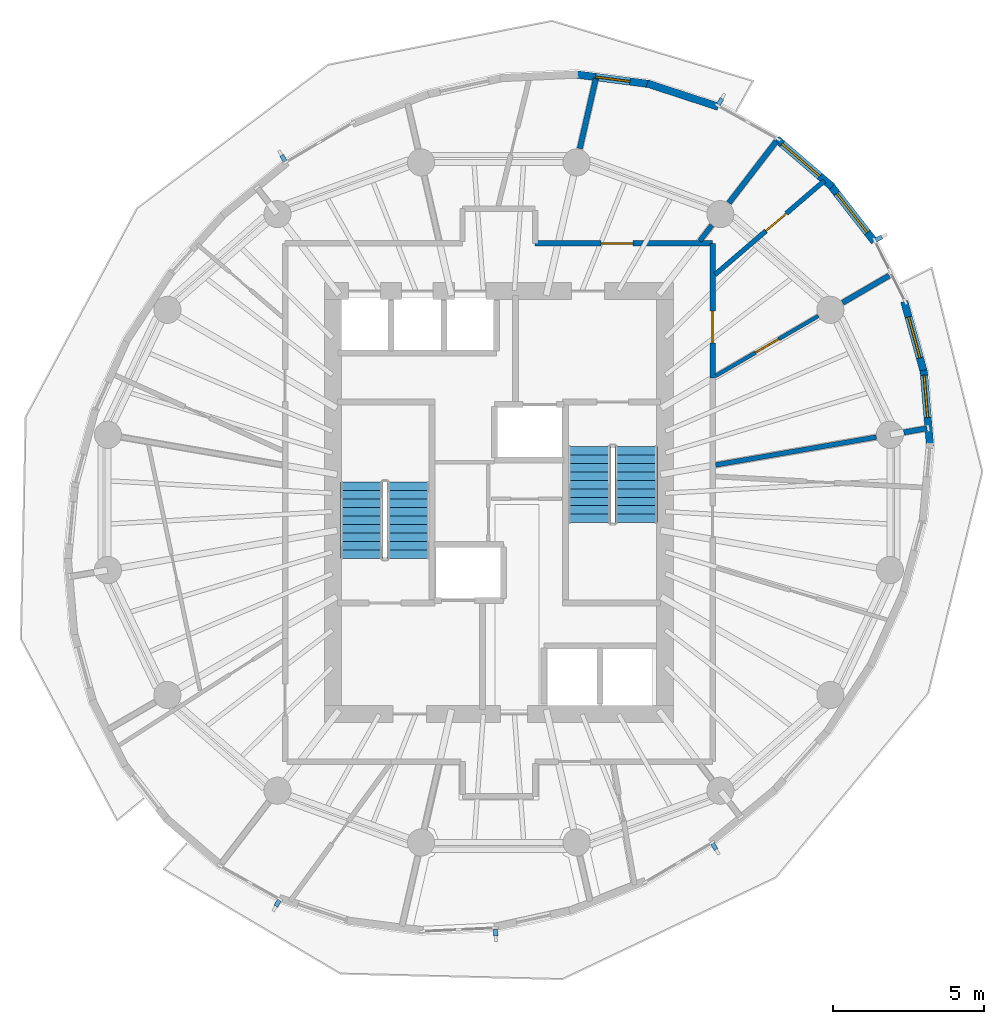
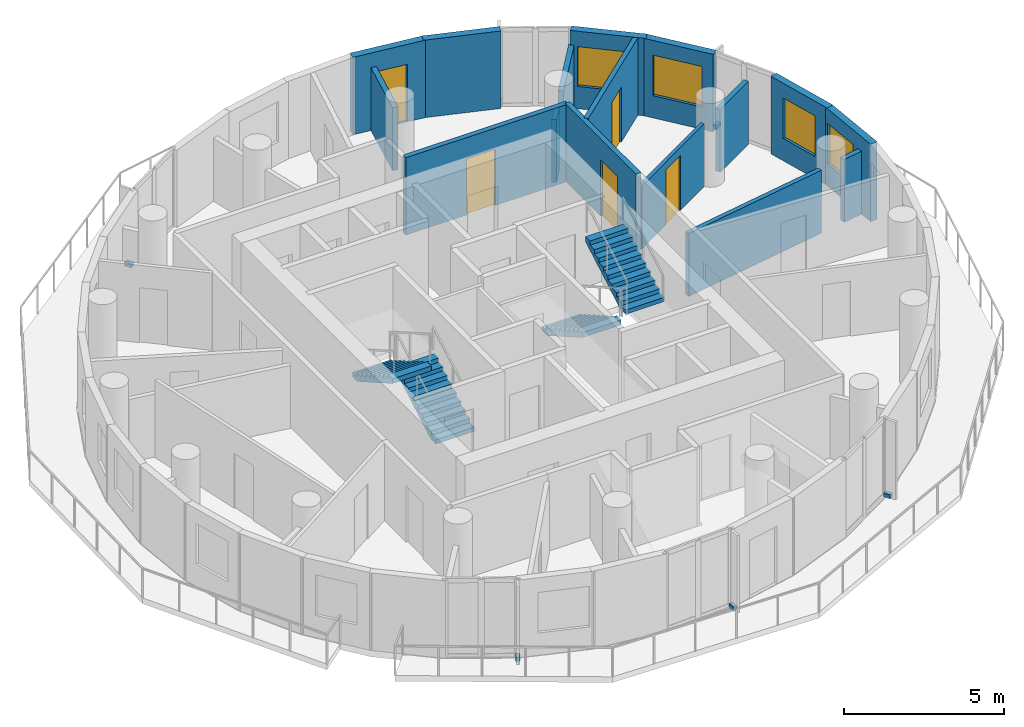
# One storey, part 7 of 10: 16 walls, 6 discrete accessories, 5 doors, 4 stair flights, 4 windows, 9 openings, 2 elements without a shape of their own.
"""IFC4 building model written with IfcOpenShell, lengths in metres."""

import ifcopenshell
import ifcopenshell.guid

model = None  # the IFC model being written
_history = None  # IfcOwnerHistory: only IFC2X3 demands one
_inside = {}  # id of a spatial element -> (the spatial element, [elements in it])
_under = {}  # id of a project, library or spatial element -> (it, [spatial elements below it])
_declared = {}  # id of a project -> (the project, [libraries it declares])
_typed = {}  # id of a type object -> (the type object, [elements of that type])
_made_of = {}  # id of a material, layer set ... -> (it, [elements and type objects made of it])


def new_model(schema):
    """Start an empty IFC model of exactly this schema.

    Asked for "IFC4X3", IfcOpenShell would pick the latest addendum, in which some entities
    have other attributes; the version numbers below select the first issue.
    IFC2X3 requires an IfcOwnerHistory on every rooted entity: one is made here for all.
    """
    global model, _history
    if schema == "IFC4X3":
        model = ifcopenshell.file(schema_version=(4, 3, 0, 0))
    else:
        model = ifcopenshell.file(schema=schema)
    _inside.clear()
    _under.clear()
    _declared.clear()
    _typed.clear()
    _made_of.clear()
    _history = None
    if model.schema == "IFC2X3":
        org = make("IfcOrganization", Name="unknown")
        user = make(
            "IfcPersonAndOrganization",
            ThePerson=make("IfcPerson", FamilyName="unknown"),
            TheOrganization=org,
        )
        app = make(
            "IfcApplication",
            ApplicationDeveloper=org,
            Version="unknown",
            ApplicationFullName="unknown",
            ApplicationIdentifier="unknown",
        )
        _history = make(
            "IfcOwnerHistory",
            OwningUser=user,
            OwningApplication=app,
            ChangeAction="ADDED",
            CreationDate=0,
        )
    return model


def make(cls, **values):
    """One entity of the class cls with the attributes given. An attribute that is None is left unset."""
    return model.create_entity(
        cls, **{name: value for name, value in values.items() if value is not None}
    )


def rooted(cls, **values):
    """An entity with a GlobalId (a new one), such as an element, a storey or a relation."""
    return make(cls, GlobalId=ifcopenshell.guid.new(), OwnerHistory=_history, **values)


def si_unit(unit_type, name, prefix=None):
    """IfcSIUnit, for example si_unit("LENGTHUNIT", "METRE", prefix="MILLI")."""
    return make("IfcSIUnit", UnitType=unit_type, Prefix=prefix, Name=name)


def assignment(units):
    """IfcUnitAssignment: the units of a project."""
    return None if units is None else make("IfcUnitAssignment", Units=units)


def point(xyz):
    """IfcCartesianPoint."""
    return None if xyz is None else make("IfcCartesianPoint", Coordinates=xyz)


def direction(xyz):
    """IfcDirection."""
    return None if xyz is None else make("IfcDirection", DirectionRatios=xyz)


def frame(location, z_axis=None, x_axis=None):
    """IfcAxis2Placement3D, a coordinate frame: its origin and axes. An axis left out is left unset."""
    return make(
        "IfcAxis2Placement3D",
        Location=point(location),
        Axis=direction(z_axis),
        RefDirection=direction(x_axis),
    )


def frame_2d(location, x_axis=None):
    """IfcAxis2Placement2D, a coordinate frame in the plane: its origin and x axis."""
    return make(
        "IfcAxis2Placement2D", Location=point(location), RefDirection=direction(x_axis)
    )


def origin():
    """The frame at (0, 0, 0) with its axes left unset."""
    return frame((0.0, 0.0, 0.0))


def origin_2d():
    """The frame at (0, 0) in the plane with its x axis left unset."""
    return frame_2d((0.0, 0.0))


def place(relative_to, where):
    """IfcLocalPlacement: puts the frame where relative to a parent placement (None: the world)."""
    return make(
        "IfcLocalPlacement", PlacementRelTo=relative_to, RelativePlacement=where
    )


def context(
    kind, dimensions, precision=None, world=None, true_north=None, identifier=None
):
    """IfcGeometricRepresentationContext, for example the 3D "Model" context."""
    return make(
        "IfcGeometricRepresentationContext",
        ContextIdentifier=identifier,
        ContextType=kind,
        CoordinateSpaceDimension=dimensions,
        Precision=precision,
        WorldCoordinateSystem=world,
        TrueNorth=true_north,
    )


def subcontext(parent, identifier, kind, view, scale=None):
    """IfcGeometricRepresentationSubContext, for example "Body" below "Model"."""
    return make(
        "IfcGeometricRepresentationSubContext",
        ContextIdentifier=identifier,
        ContextType=kind,
        ParentContext=parent,
        TargetScale=scale,
        TargetView=view,
    )


def project(units=None, contexts=None):
    """IfcProject with its units and contexts."""
    return rooted(
        "IfcProject",
        Name="project",
        RepresentationContexts=contexts,
        UnitsInContext=assignment(units),
    )


def spatial(cls, under=None, at=None, **own):
    """A site, building, storey or space (cls), placed at a placement, below another one or the project."""
    s = rooted(cls, ObjectPlacement=at, **own)
    if under is not None:
        _under.setdefault(under.id(), (under, []))[1].append(s)
    return s


def polyline(points):
    """IfcPolyline through the points."""
    return make("IfcPolyline", Points=[point(p) for p in points])


def profile(cls, at=None, kind="AREA", **sizes):
    """A parametric profile (cls). Its sizes go by their IFC names, for example OverallWidth=200.0."""
    return make(cls, ProfileType=kind, Position=at, **sizes)


def rectangle(**sizes):
    """IfcRectangleProfileDef."""
    return profile("IfcRectangleProfileDef", **sizes)


def outline(outer, holes=None, kind="AREA"):
    """IfcArbitraryClosedProfileDef: a profile drawn as a closed curve; with holes, ...WithVoids."""
    if holes is None:
        return make("IfcArbitraryClosedProfileDef", ProfileType=kind, OuterCurve=outer)
    return make(
        "IfcArbitraryProfileDefWithVoids",
        ProfileType=kind,
        OuterCurve=outer,
        InnerCurves=holes,
    )


def extrude(swept, where, along, depth):
    """IfcExtrudedAreaSolid: the profile swept, set in the frame where, extruded along a direction by depth."""
    return make(
        "IfcExtrudedAreaSolid",
        SweptArea=swept,
        Position=where,
        ExtrudedDirection=direction(along),
        Depth=depth,
    )


def shape(context_of_items, identifier, shape_type, items):
    """IfcShapeRepresentation: the items that make up one representation, for example the "Body"."""
    return make(
        "IfcShapeRepresentation",
        ContextOfItems=context_of_items,
        RepresentationIdentifier=identifier,
        RepresentationType=shape_type,
        Items=items,
    )


def material(Name=None, Category=None):
    """IfcMaterial."""
    return make("IfcMaterial", Name=Name, Category=Category)


def layer(
    of_material, thickness, ventilated=None, Name=None, Category=None, Priority=None
):
    """IfcMaterialLayer: one layer of a wall or slab, of a material (None: an air gap)."""
    return make(
        "IfcMaterialLayer",
        Material=of_material,
        LayerThickness=thickness,
        IsVentilated=ventilated,
        Name=Name,
        Category=Category,
        Priority=Priority,
    )


def layer_set(layers, Name=None):
    """IfcMaterialLayerSet."""
    return make("IfcMaterialLayerSet", MaterialLayers=layers, LayerSetName=Name)


def made_of(thing, what):
    """Note that an element or type object is made of a material, layer set ...; save() writes the relation."""
    if what is not None:
        _made_of.setdefault(what.id(), (what, []))[1].append(thing)
    return thing


def type_object(cls, material=None, **own):
    """A type object (cls), such as IfcWallType, which elements share."""
    return made_of(rooted(cls, **own), material)


def element(
    cls,
    number,
    at=None,
    inside=None,
    cuts=None,
    type_object=None,
    material=None,
    context=None,
    identifier="Body",
    shape_type=None,
    held_by="IfcProductDefinitionShape",
    body=None,
    shapes=None,
    **own,
):
    """One element of the class cls, such as IfcWall. Its Tag is "e" and its number.

    at: its placement. inside: the storey or other place that contains it. cuts: it is an
    opening in that element (IfcRelVoidsElement). A single representation is given by context,
    identifier, shape_type and body (its items); several are given by shapes. held_by: the class
    of the entity that holds the representations. save() writes the other relations.
    """
    e = rooted(cls, Tag="e%d" % number, ObjectPlacement=at, **own)
    if body is not None:
        shapes = [shape(context, identifier, shape_type, body)]
    if shapes is not None:
        e.Representation = make(held_by, Representations=shapes)
    if inside is not None:
        _inside.setdefault(inside.id(), (inside, []))[1].append(e)
    if cuts is not None:
        rooted(
            "IfcRelVoidsElement", RelatingBuildingElement=cuts, RelatedOpeningElement=e
        )
    if type_object is not None:
        _typed.setdefault(type_object.id(), (type_object, []))[1].append(e)
    return made_of(e, material)


def fill(opening, filler):
    """IfcRelFillsElement: the door or window that sits in an opening."""
    return rooted(
        "IfcRelFillsElement",
        RelatingOpeningElement=opening,
        RelatedBuildingElement=filler,
    )


def aggregate(whole, parts):
    """IfcRelAggregates: a whole, such as a stair, and the parts it consists of."""
    return rooted("IfcRelAggregates", RelatingObject=whole, RelatedObjects=parts)


def save(model, path):
    """Write the relations noted so far, then the file.

    IfcRelAggregates (storeys below a building ...), IfcRelContainedInSpatialStructure (elements
    in a storey), IfcRelDefinesByType, IfcRelAssociatesMaterial and IfcRelDeclares: one each for
    every whole, place, type object, material and project.
    """
    for whole, parts in _under.values():
        aggregate(whole, parts)
    for where, things in _inside.values():
        rooted(
            "IfcRelContainedInSpatialStructure",
            RelatedElements=things,
            RelatingStructure=where,
        )
    for kind, things in _typed.values():
        rooted("IfcRelDefinesByType", RelatedObjects=things, RelatingType=kind)
    for what, things in _made_of.values():
        rooted("IfcRelAssociatesMaterial", RelatedObjects=things, RelatingMaterial=what)
    for by, libraries in _declared.values():
        rooted("IfcRelDeclares", RelatingContext=by, RelatedDefinitions=libraries)
    model.write(path)


model = new_model("IFC4")

# Units and contexts
model_context = context("Model", 3, precision=1e-05, world=origin(), true_north=direction((0.0, 1.0)))
body_context = subcontext(model_context, "Body", "Model", "MODEL_VIEW")
ifc_project = project(units=[si_unit("LENGTHUNIT", "METRE"), si_unit("AREAUNIT", "SQUARE_METRE"), si_unit("VOLUMEUNIT", "CUBIC_METRE"), si_unit("PLANEANGLEUNIT", "RADIAN"), si_unit("MASSUNIT", "GRAM", prefix="KILO")], contexts=[model_context])

# Site, building, storey
site_placement = place(None, origin())
site = spatial("IfcSite", under=ifc_project, at=site_placement, CompositionType="ELEMENT")
building_placement = place(site_placement, origin())
building = spatial("IfcBuilding", under=site, at=building_placement, Name="Veldorim Arch Residences", CompositionType="ELEMENT")
storey_placement = place(building_placement, frame((0.0, 0.0, 182.239990234375)))
storey = spatial("IfcBuildingStorey", under=building, at=storey_placement, Name="L54", CompositionType="ELEMENT", Elevation=182.239990234375)

# Wall, opening, door
ifc_material_1 = material(Name="Acoustic Gypsum Board", Category="gypsum")
ifc_layer_1 = layer(ifc_material_1, 0.125, Name="Acoustic Stud Room Partition Wall 125")
ifc_layer_set_1 = layer_set([ifc_layer_1], Name="Acoustic Gypsum Board")
wall_type_1 = type_object("IfcWallType", Name="Acoustic Stud Room Partition Wall 125", PredefinedType="PARTITIONING", material=ifc_layer_set_1)
wall_1_placement = place(storey_placement, frame((42.57958984375, 30.1748046875, 0.0), z_axis=(0.0, 0.0, 1.0), x_axis=(-0.863675291667, -0.504048599407, 0.0)))
wall_1 = element("IfcWall", 1, at=wall_1_placement, inside=storey, type_object=wall_type_1, Name="L54 interior wall WL-RES-L54-023", PredefinedType="PARTITIONING", context=body_context, shape_type="SweptSolid", body=[
    extrude(rectangle(XDim=3.93212890625, YDim=0.125, at=frame_2d((1.966064453125, 0.0))), origin(), (0.0, 0.0, 1.0), 2.4033203125),
])
opening_1_placement = place(wall_1_placement, frame((1.51611328125, 0.0, 0.0)))
opening_1 = element("IfcOpeningElement", 2, at=opening_1_placement, cuts=wall_1, Name="Opening DR-INT", PredefinedType="OPENING", context=body_context, shape_type="SweptSolid", body=[
    extrude(rectangle(XDim=0.89990234375, YDim=2.10009765625, at=frame_2d((0.449951171875, 1.050048828125))), frame((0.0, 0.072509765625, 0.0), z_axis=(0.0, -1.0, 0.0), x_axis=(1.0, 0.0, 0.0)), (0.0, 0.0, 1.0), 0.14501953125),
])
ifc_material_2 = material(Name="Engineered Timber", Category="wood")
door_type_1 = type_object("IfcDoorType", Name="Apartment Internal Room Timber Door 900x2100", OperationType="SINGLE_SWING_LEFT", PredefinedType="DOOR", material=ifc_material_2)
door_1_placement = place(opening_1_placement, origin())
door_1 = element("IfcDoor", 3, at=door_1_placement, inside=storey, type_object=door_type_1, Name="L54 interior door DR-RES-L54-008", OperationType="SINGLE_SWING_RIGHT", OverallHeight=2.10009765625, OverallWidth=0.89990234375, PredefinedType="DOOR", context=body_context, shape_type="SweptSolid", body=[
    extrude(rectangle(XDim=0.89990234375, YDim=2.10009765625, at=frame_2d((0.449951171875, 1.050048828125))), frame((0.0, 0.02490234375, 0.0), z_axis=(0.0, -1.0, 0.0), x_axis=(1.0, 0.0, 0.0)), (0.0, 0.0, 1.0), 0.050048828125),
])
fill(opening_1, door_1)

# Walls
ifc_material_3 = material(Name="Lightweight Masonry Block & Gypsum", Category="masonry")
ifc_layer_2 = layer(ifc_material_3, 0.179931640625, Name="Compartment & Corridor Fire-Rated Party Wall 180")
ifc_layer_set_2 = layer_set([ifc_layer_2], Name="Lightweight Masonry Block & Gypsum")
wall_type_2 = type_object("IfcWallType", Name="Compartment & Corridor Fire-Rated Party Wall 180", PredefinedType="PARTITIONING", material=ifc_layer_set_2)
wall_2_placement = place(storey_placement, frame((45.409423828125, 26.319580078125, 0.0), z_axis=(0.0, 0.0, 1.0), x_axis=(0.985363715758, 0.170465092225, 0.0)))
element("IfcWall", 4, at=wall_2_placement, inside=storey, type_object=wall_type_2, Name="L54 interior wall WL-PIER-L54-01", PredefinedType="PARTITIONING", context=body_context, shape_type="SweptSolid", body=[
    extrude(rectangle(XDim=0.7763671875, YDim=0.179931640625, at=frame_2d((0.38818359375, 0.0))), origin(), (0.0, 0.0, 1.0), 2.4033203125),
])
wall_3_placement = place(storey_placement, frame((43.3818359375, 30.614013671875, 0.0), z_axis=(0.0, 0.0, 1.0), x_axis=(0.86456661279, 0.502518230563, 0.0)))
element("IfcWall", 5, at=wall_3_placement, inside=storey, type_object=wall_type_2, Name="L54 interior wall WL-PIER-L54-02", PredefinedType="PARTITIONING", context=body_context, shape_type="SweptSolid", body=[
    extrude(rectangle(XDim=1.784912109375, YDim=0.179931640625, at=frame_2d((0.892578125, 0.0))), origin(), (0.0, 0.0, 1.0), 2.4033203125),
])
wall_4_placement = place(storey_placement, frame((39.619873046875, 33.91796875, 0.0), z_axis=(0.0, 0.0, 1.0), x_axis=(0.609164681512, 0.793043750873, 0.0)))
element("IfcWall", 6, at=wall_4_placement, inside=storey, type_object=wall_type_2, Name="L54 interior wall WL-PIER-L54-03", PredefinedType="PARTITIONING", context=body_context, shape_type="SweptSolid", body=[
    extrude(rectangle(XDim=2.57177734375, YDim=0.179931640625, at=frame_2d((1.285888671875, 0.0))), origin(), (0.0, 0.0, 1.0), 2.4033203125),
])
wall_5_placement = place(storey_placement, frame((34.679931640625, 35.717529296875, 0.0), z_axis=(0.0, 0.0, 1.0), x_axis=(0.223011847659, 0.974815734282, 0.0)))
element("IfcWall", 7, at=wall_5_placement, inside=storey, type_object=wall_type_2, Name="L54 interior wall WL-PIER-L54-04", PredefinedType="PARTITIONING", context=body_context, shape_type="SweptSolid", body=[
    extrude(rectangle(XDim=2.37451171875, YDim=0.179931640625, at=frame_2d((1.187255859375, 0.0))), origin(), (0.0, 0.0, 1.0), 2.4033203125),
])

# Wall, opening, door
wall_6_placement = place(storey_placement, frame((39.080078125, 32.580078125, 0.0), z_axis=(0.0, 0.0, 1.0), x_axis=(0.0, -1.0, 0.0)))
wall_6 = element("IfcWall", 8, at=wall_6_placement, inside=storey, type_object=wall_type_2, Name="L54 interior wall WL-RES-L54-007", PredefinedType="PARTITIONING", context=body_context, shape_type="SweptSolid", body=[
    extrude(rectangle(XDim=4.4677734375, YDim=0.179931640625, at=frame_2d((2.23388671875, 0.0))), origin(), (0.0, 0.0, 1.0), 2.955078125),
])
opening_2_placement = place(wall_6_placement, frame((2.24609375, 0.0, 0.0)))
opening_2 = element("IfcOpeningElement", 9, at=opening_2_placement, cuts=wall_6, Name="Opening DR-FLT", PredefinedType="OPENING", context=body_context, shape_type="SweptSolid", body=[
    extrude(rectangle(XDim=1.050048828125, YDim=2.14990234375, at=frame_2d((0.52490234375, 1.074951171875))), frame((0.0, 0.099853515625, 0.0), z_axis=(0.0, -1.0, 0.0), x_axis=(1.0, 0.0, 0.0)), (0.0, 0.0, 1.0), 0.199951171875),
])
ifc_material_4 = material(Name="Fire-Rated Timber", Category="wood")
door_type_2 = type_object("IfcDoorType", Name="Apartment Entrance Solid-Core Fire Door 1050x2150", OperationType="SINGLE_SWING_LEFT", PredefinedType="DOOR", material=ifc_material_4)
door_2_placement = place(opening_2_placement, origin())
door_2 = element("IfcDoor", 10, at=door_2_placement, inside=storey, type_object=door_type_2, Name="L54 interior door DR-RES-L54-006", OperationType="SINGLE_SWING_RIGHT", OverallHeight=2.14990234375, OverallWidth=1.050048828125, PredefinedType="DOOR", context=body_context, shape_type="SweptSolid", body=[
    extrude(rectangle(XDim=1.050048828125, YDim=2.14990234375, at=frame_2d((0.52490234375, 1.074951171875))), frame((0.0, 0.02490234375, 0.0), z_axis=(0.0, -1.0, 0.0), x_axis=(1.0, 0.0, 0.0)), (0.0, 0.0, 1.0), 0.050048828125),
])
fill(opening_2, door_2)

wall_7_placement = place(storey_placement, frame((33.199951171875, 32.580078125, 0.0), z_axis=(0.0, 0.0, 1.0), x_axis=(1.0, 0.0, 0.0)))
wall_7 = element("IfcWall", 11, at=wall_7_placement, inside=storey, type_object=wall_type_2, Name="L54 interior wall WL-RES-L54-008", PredefinedType="PARTITIONING", context=body_context, shape_type="SweptSolid", body=[
    extrude(rectangle(XDim=5.880126953125, YDim=0.179931640625, at=frame_2d((2.93994140625, 0.0))), origin(), (0.0, 0.0, 1.0), 2.955078125),
])
opening_3_placement = place(wall_7_placement, frame((2.18359375, 0.0, 0.0)))
opening_3 = element("IfcOpeningElement", 12, at=opening_3_placement, cuts=wall_7, Name="Opening DR-FLT", PredefinedType="OPENING", context=body_context, shape_type="SweptSolid", body=[
    extrude(rectangle(XDim=1.050048828125, YDim=2.14990234375, at=frame_2d((0.52490234375, 1.074951171875))), frame((0.0, 0.099853515625, 0.0), z_axis=(0.0, -1.0, 0.0), x_axis=(1.0, 0.0, 0.0)), (0.0, 0.0, 1.0), 0.199951171875),
])
door_3_placement = place(opening_3_placement, origin())
door_3 = element("IfcDoor", 13, at=door_3_placement, inside=storey, type_object=door_type_2, Name="L54 interior door DR-RES-L54-009", OperationType="SINGLE_SWING_LEFT", OverallHeight=2.14990234375, OverallWidth=1.050048828125, PredefinedType="DOOR", context=body_context, shape_type="SweptSolid", body=[
    extrude(rectangle(XDim=1.050048828125, YDim=2.14990234375, at=frame_2d((0.52490234375, 1.074951171875))), frame((0.0, 0.02490234375, 0.0), z_axis=(0.0, -1.0, 0.0), x_axis=(1.0, 0.0, 0.0)), (0.0, 0.0, 1.0), 0.050048828125),
])
fill(opening_3, door_3)

# Wall, opening, window
ifc_material_5 = material(Name="Precast concrete C40/50", Category="concrete")
ifc_layer_3 = layer(ifc_material_5, 0.25, Name="Tower Terracotta Spandrel & Pier Wall 250")
ifc_layer_set_3 = layer_set([ifc_layer_3], Name="Precast concrete C40/50")
wall_type_3 = type_object("IfcWallType", Name="Tower Terracotta Spandrel & Pier Wall 250", PredefinedType="SOLIDWALL", material=ifc_layer_set_3)
wall_8_placement = place(storey_placement, frame((41.1982421875, 36.02685546875, 0.0), z_axis=(0.0, 0.0, 1.0), x_axis=(0.759591927835, -0.65039995631, 0.0)))
wall_8 = element("IfcWall", 14, at=wall_8_placement, inside=storey, type_object=wall_type_3, Name="L54 terracotta facade wall 01", PredefinedType="SOLIDWALL", context=body_context, shape_type="SweptSolid", body=[
    extrude(rectangle(XDim=2.414794921875, YDim=0.25, at=frame_2d((1.20751953125, 0.0))), origin(), (0.0, 0.0, 1.0), 2.9599609375),
])
opening_4_placement = place(wall_8_placement, frame((0.23388671875, 0.0, 0.85009765625)))
opening_4 = element("IfcOpeningElement", 15, at=opening_4_placement, cuts=wall_8, Name="Opening WN-03", PredefinedType="OPENING", context=body_context, shape_type="SweptSolid", body=[
    extrude(rectangle(XDim=1.64990234375, YDim=1.52001953125, at=frame_2d((0.824951171875, 0.760009765625))), frame((0.0, 0.135009765625, 0.0), z_axis=(0.0, -1.0, 0.0), x_axis=(1.0, 0.0, 0.0)), (0.0, 0.0, 1.0), 0.27001953125),
])
ifc_material_6 = material(Name="Laminated Low-E Glass", Category="glass")
window_type_1 = type_object("IfcWindowType", Name="Residential Wide Window 1650x1550", PartitioningType="SINGLE_PANEL", PredefinedType="WINDOW", material=ifc_material_6)
window_1_placement = place(opening_4_placement, origin())
window_1 = element("IfcWindow", 16, at=window_1_placement, inside=storey, type_object=window_type_1, Name="L54 solar-control facade window 01", OverallHeight=1.52001953125, OverallWidth=1.64990234375, PartitioningType="SINGLE_PANEL", PredefinedType="WINDOW", context=body_context, shape_type="SweptSolid", body=[
    extrude(rectangle(XDim=1.64990234375, YDim=1.52001953125, at=frame_2d((0.824951171875, 0.760009765625))), frame((0.0, 0.030029296875, 0.0), z_axis=(0.0, -1.0, 0.0), x_axis=(1.0, 0.0, 0.0)), (0.0, 0.0, 1.0), 0.06005859375),
])
fill(opening_4, window_1)

# Wall
wall_9_placement = place(storey_placement, frame((36.9140625, 37.874755859375, 0.0), z_axis=(0.0, 0.0, 1.0), x_axis=(0.950422545433, -0.310961388491, 0.0)))
element("IfcWall", 17, at=wall_9_placement, inside=storey, type_object=wall_type_3, Name="L54 terracotta facade wall 03", PredefinedType="SOLIDWALL", context=body_context, shape_type="SweptSolid", body=[
    extrude(rectangle(XDim=2.477783203125, YDim=0.25, at=frame_2d((1.23876953125, 0.0))), origin(), (0.0, 0.0, 1.0), 2.9599609375),
])

# Wall, opening, door
wall_10_placement = place(storey_placement, frame((34.513427734375, 38.17919921875, 0.0), z_axis=(0.0, 0.0, 1.0), x_axis=(0.991491995227, -0.130167674176, 0.0)))
wall_10 = element("IfcWall", 18, at=wall_10_placement, inside=storey, type_object=wall_type_3, Name="L54 terracotta facade wall 04", PredefinedType="SOLIDWALL", context=body_context, shape_type="SweptSolid", body=[
    extrude(rectangle(XDim=2.531982421875, YDim=0.25, at=frame_2d((1.26611328125, 0.0))), origin(), (0.0, 0.0, 1.0), 2.9599609375),
])
opening_5_placement = place(wall_10_placement, frame((0.69091796875, 0.0, 0.0)))
opening_5 = element("IfcOpeningElement", 19, at=opening_5_placement, cuts=wall_10, Name="Opening BL-DR", PredefinedType="OPENING", context=body_context, shape_type="SweptSolid", body=[
    extrude(rectangle(XDim=1.14990234375, YDim=2.199951171875, at=frame_2d((0.574951171875, 1.10009765625))), frame((0.0, 0.135009765625, 0.0), z_axis=(0.0, -1.0, 0.0), x_axis=(1.0, 0.0, 0.0)), (0.0, 0.0, 1.0), 0.27001953125),
])
ifc_material_7 = material(Name="Aluminium & Low-E Glass", Category="aluminium")
door_type_3 = type_object("IfcDoorType", Name="Glazed Planted Balcony Door 1150x2200", OperationType="SINGLE_SWING_LEFT", PredefinedType="DOOR", material=ifc_material_7)
door_4_placement = place(opening_5_placement, origin())
door_4 = element("IfcDoor", 20, at=door_4_placement, inside=storey, type_object=door_type_3, Name="L54 glazed outdoor terrace door BALC-1", OperationType="SINGLE_SWING_RIGHT", OverallHeight=2.199951171875, OverallWidth=1.14990234375, PredefinedType="DOOR", context=body_context, shape_type="SweptSolid", body=[
    extrude(rectangle(XDim=1.14990234375, YDim=2.199951171875, at=frame_2d((0.574951171875, 1.10009765625))), frame((0.0, 0.02490234375, 0.0), z_axis=(0.0, -1.0, 0.0), x_axis=(1.0, 0.0, 0.0)), (0.0, 0.0, 1.0), 0.050048828125),
])
fill(opening_5, door_4)

# Wall, opening, window
wall_11_placement = place(storey_placement, frame((46.06640625, 28.380615234375, 0.0), z_axis=(0.0, 0.0, 1.0), x_axis=(0.084274320236, -0.996442591898, 0.0)))
wall_11 = element("IfcWall", 21, at=wall_11_placement, inside=storey, type_object=wall_type_3, Name="L54 terracotta facade wall 33", PredefinedType="SOLIDWALL", context=body_context, shape_type="SweptSolid", body=[
    extrude(rectangle(XDim=2.531982421875, YDim=0.25, at=frame_2d((1.26611328125, 0.0))), origin(), (0.0, 0.0, 1.0), 2.9599609375),
])
opening_6_placement = place(wall_11_placement, frame((0.175048828125, 0.0, 0.85009765625)))
opening_6 = element("IfcOpeningElement", 22, at=opening_6_placement, cuts=wall_11, Name="Opening WN-02", PredefinedType="OPENING", context=body_context, shape_type="SweptSolid", body=[
    extrude(rectangle(XDim=1.39990234375, YDim=1.550048828125, at=frame_2d((0.699951171875, 0.77490234375))), frame((0.0, 0.135009765625, 0.0), z_axis=(0.0, -1.0, 0.0), x_axis=(1.0, 0.0, 0.0)), (0.0, 0.0, 1.0), 0.27001953125),
])
ifc_material_8 = material(Name="Laminated Low-E Glass", Category="glass")
window_type_2 = type_object("IfcWindowType", Name="Residential Casement Window 1400x1550", PartitioningType="SINGLE_PANEL", PredefinedType="WINDOW", material=ifc_material_8)
window_2_placement = place(opening_6_placement, origin())
window_2 = element("IfcWindow", 23, at=window_2_placement, inside=storey, type_object=window_type_2, Name="L54 solar-control facade window 33", OverallHeight=1.550048828125, OverallWidth=1.39990234375, PartitioningType="SINGLE_PANEL", PredefinedType="WINDOW", context=body_context, shape_type="SweptSolid", body=[
    extrude(rectangle(XDim=1.39990234375, YDim=1.550048828125, at=frame_2d((0.699951171875, 0.77490234375))), frame((0.0, 0.030029296875, 0.0), z_axis=(0.0, -1.0, 0.0), x_axis=(1.0, 0.0, 0.0)), (0.0, 0.0, 1.0), 0.06005859375),
])
fill(opening_6, window_2)

wall_12_placement = place(storey_placement, frame((45.42529296875, 30.65771484375, 0.0), z_axis=(0.0, 0.0, 1.0), x_axis=(0.266734060973, -0.96377017007, 0.0)))
wall_12 = element("IfcWall", 24, at=wall_12_placement, inside=storey, type_object=wall_type_3, Name="L54 terracotta facade wall 34", PredefinedType="SOLIDWALL", context=body_context, shape_type="SweptSolid", body=[
    extrude(rectangle(XDim=2.477783203125, YDim=0.25, at=frame_2d((1.23876953125, 0.0))), origin(), (0.0, 0.0, 1.0), 2.9599609375),
])
opening_7_placement = place(wall_12_placement, frame((0.5390625, 0.0, 0.85009765625)))
opening_7 = element("IfcOpeningElement", 25, at=opening_7_placement, cuts=wall_12, Name="Opening WN-02", PredefinedType="OPENING", context=body_context, shape_type="SweptSolid", body=[
    extrude(rectangle(XDim=1.39990234375, YDim=1.550048828125, at=frame_2d((0.699951171875, 0.77490234375))), frame((0.0, 0.135009765625, 0.0), z_axis=(0.0, -1.0, 0.0), x_axis=(1.0, 0.0, 0.0)), (0.0, 0.0, 1.0), 0.27001953125),
])
window_3_placement = place(opening_7_placement, origin())
window_3 = element("IfcWindow", 26, at=window_3_placement, inside=storey, type_object=window_type_2, Name="L54 solar-control facade window 34", OverallHeight=1.550048828125, OverallWidth=1.39990234375, PartitioningType="SINGLE_PANEL", PredefinedType="WINDOW", context=body_context, shape_type="SweptSolid", body=[
    extrude(rectangle(XDim=1.39990234375, YDim=1.550048828125, at=frame_2d((0.699951171875, 0.77490234375))), frame((0.0, 0.030029296875, 0.0), z_axis=(0.0, -1.0, 0.0), x_axis=(1.0, 0.0, 0.0)), (0.0, 0.0, 1.0), 0.06005859375),
])
fill(opening_7, window_3)

wall_13_placement = place(storey_placement, frame((42.953369140625, 34.539306640625, 0.0), z_axis=(0.0, 0.0, 1.0), x_axis=(0.61468225386, -0.788774826417, 0.0)))
wall_13 = element("IfcWall", 27, at=wall_13_placement, inside=storey, type_object=wall_type_3, Name="L54 terracotta facade wall 36", PredefinedType="SOLIDWALL", context=body_context, shape_type="SweptSolid", body=[
    extrude(rectangle(XDim=2.414794921875, YDim=0.25, at=frame_2d((1.20751953125, 0.0))), origin(), (0.0, 0.0, 1.0), 2.9599609375),
])
opening_8_placement = place(wall_13_placement, frame((0.382080078125, 0.0, 0.85009765625)))
opening_8 = element("IfcOpeningElement", 28, at=opening_8_placement, cuts=wall_13, Name="Opening WN-03", PredefinedType="OPENING", context=body_context, shape_type="SweptSolid", body=[
    extrude(rectangle(XDim=1.64990234375, YDim=1.550048828125, at=frame_2d((0.824951171875, 0.77490234375))), frame((0.0, 0.135009765625, 0.0), z_axis=(0.0, -1.0, 0.0), x_axis=(1.0, 0.0, 0.0)), (0.0, 0.0, 1.0), 0.27001953125),
])
window_4_placement = place(opening_8_placement, origin())
window_4 = element("IfcWindow", 29, at=window_4_placement, inside=storey, type_object=window_type_1, Name="L54 solar-control facade window 36", OverallHeight=1.550048828125, OverallWidth=1.64990234375, PartitioningType="SINGLE_PANEL", PredefinedType="WINDOW", context=body_context, shape_type="SweptSolid", body=[
    extrude(rectangle(XDim=1.64990234375, YDim=1.550048828125, at=frame_2d((0.824951171875, 0.77490234375))), frame((0.0, 0.030029296875, 0.0), z_axis=(0.0, -1.0, 0.0), x_axis=(1.0, 0.0, 0.0)), (0.0, 0.0, 1.0), 0.06005859375),
])
fill(opening_8, window_4)

# Wall
ifc_material_9 = material(Name="Moisture-Resistant Gypsum & Stud", Category="gypsum")
ifc_layer_4 = layer(ifc_material_9, 0.159912109375, Name="Wet-Area Moisture-Resistant Plumbing Wall 160")
ifc_layer_set_4 = layer_set([ifc_layer_4], Name="Moisture-Resistant Gypsum & Stud")
wall_type_4 = type_object("IfcWallType", Name="Wet-Area Moisture-Resistant Plumbing Wall 160", PredefinedType="PLUMBINGWALL", material=ifc_layer_set_4)
wall_14_placement = place(storey_placement, frame((39.178466796875, 25.24169921875, 0.0), z_axis=(0.0, 0.0, 1.0), x_axis=(0.985362047777, 0.170474733611, 0.0)))
element("IfcWall", 30, at=wall_14_placement, inside=storey, type_object=wall_type_4, Name="L54 interior wall WL-RES-L54-021", PredefinedType="PLUMBINGWALL", context=body_context, shape_type="SweptSolid", body=[
    extrude(rectangle(XDim=5.399169921875, YDim=0.159912109375, at=frame_2d((2.69970703125, 0.0))), origin(), (0.0, 0.0, 1.0), 2.4033203125),
])

# Wall, opening, door
wall_15_placement = place(storey_placement, frame((39.156005859375, 31.5439453125, 0.0), z_axis=(0.0, 0.0, 1.0), x_axis=(0.759083333315, 0.650993466238, 0.0)))
wall_15 = element("IfcWall", 31, at=wall_15_placement, inside=storey, type_object=wall_type_4, Name="L54 interior wall WL-RES-L54-022", PredefinedType="PLUMBINGWALL", context=body_context, shape_type="SweptSolid", body=[
    extrude(rectangle(XDim=4.77490234375, YDim=0.159912109375, at=frame_2d((2.387451171875, 0.0))), origin(), (0.0, 0.0, 1.0), 2.955078125),
])
opening_9_placement = place(wall_15_placement, frame((2.21728515625, 0.0, 0.0)))
opening_9 = element("IfcOpeningElement", 32, at=opening_9_placement, cuts=wall_15, Name="Opening DR-WC", PredefinedType="OPENING", context=body_context, shape_type="SweptSolid", body=[
    extrude(rectangle(XDim=0.89990234375, YDim=2.10009765625, at=frame_2d((0.449951171875, 1.050048828125))), frame((0.0, 0.08984375, 0.0), z_axis=(0.0, -1.0, 0.0), x_axis=(1.0, 0.0, 0.0)), (0.0, 0.0, 1.0), 0.179931640625),
])
ifc_material_10 = material(Name="Laminate Timber", Category="wood")
door_type_4 = type_object("IfcDoorType", Name="Bathroom & Accessible WC Moisture-Sealed Door 900x2100", OperationType="SINGLE_SWING_LEFT", PredefinedType="DOOR", material=ifc_material_10)
door_5_placement = place(opening_9_placement, origin())
door_5 = element("IfcDoor", 33, at=door_5_placement, inside=storey, type_object=door_type_4, Name="L54 interior door DR-RES-L54-007", OperationType="SINGLE_SWING_LEFT", OverallHeight=2.10009765625, OverallWidth=0.89990234375, PredefinedType="DOOR", context=body_context, shape_type="SweptSolid", body=[
    extrude(rectangle(XDim=0.89990234375, YDim=2.10009765625, at=frame_2d((0.449951171875, 1.050048828125))), frame((0.0, 0.02490234375, 0.0), z_axis=(0.0, -1.0, 0.0), x_axis=(1.0, 0.0, 0.0)), (0.0, 0.0, 1.0), 0.050048828125),
])
fill(opening_9, door_5)

# Wall
wall_16_placement = place(storey_placement, frame((38.65283203125, 32.6591796875, 0.0), z_axis=(0.0, 0.0, 1.0), x_axis=(0.609101063055, 0.79309261438, 0.0)))
element("IfcWall", 34, at=wall_16_placement, inside=storey, type_object=wall_type_4, Name="L54 interior wall WL-RES-L54-024", PredefinedType="PLUMBINGWALL", context=body_context, shape_type="SweptSolid", body=[
    extrude(rectangle(XDim=0.658203125, YDim=0.159912109375, at=frame_2d((0.3291015625, 0.0))), origin(), (0.0, 0.0, 1.0), 2.4033203125),
])

# Stair, stair flights
ifc_material_11 = material(Name="Concrete C40/50", Category="concrete")
stair_type = type_object("IfcStairType", Name="Reinforced Concrete Dogleg Exit Staircase", PredefinedType="HALF_TURN_STAIR", material=ifc_material_11)
stair_1_placement = place(storey_placement, origin())
stair_1 = element("IfcStair", 35, at=stair_1_placement, inside=storey, type_object=stair_type, Name="L54 Exit Staircase ST-1", PredefinedType="HALF_TURN_STAIR")
ifc_material_12 = material(Name="Concrete C40/50", Category="concrete")
stair_flight_type = type_object("IfcStairFlightType", Name="Reinforced Concrete Stair Flight 1400", PredefinedType="STRAIGHT", material=ifc_material_12)
stair_flight_1_placement = place(storey_placement, frame((29.010009765625, 22.14990234375, 0.0), z_axis=(0.0, 0.0, 1.0), x_axis=(0.0, 1.0, 0.0)))
stair_flight_1 = element("IfcStairFlight", 36, at=stair_flight_1_placement, type_object=stair_flight_type, Name="ST-1 flight 1", NumberOfRisers=10, NumberOfTreads=9, PredefinedType="STRAIGHT", RiserHeight=0.16, TreadLength=0.28, context=body_context, shape_type="SweptSolid", body=[
    extrude(outline(polyline([(0.0, 0.0), (0.0, 0.159912109375), (0.280029296875, 0.159912109375), (0.280029296875, 0.320068359375), (0.56005859375, 0.320068359375), (0.56005859375, 0.47998046875), (0.840087890625, 0.47998046875), (0.840087890625, 0.639892578125), (1.1201171875, 0.639892578125), (1.1201171875, 0.800048828125), (1.39990234375, 0.800048828125), (1.39990234375, 0.9599609375), (1.679931640625, 0.9599609375), (1.679931640625, 1.1201171875), (1.9599609375, 1.1201171875), (1.9599609375, 1.280029296875), (2.239990234375, 1.280029296875), (2.239990234375, 1.43994140625), (2.52001953125, 1.43994140625), (2.52001953125, 1.60009765625), (2.52001953125, 1.255859375), (0.322265625, 0.0), (0.0, 0.0)])), frame((0.0, 0.699951171875, 0.0), z_axis=(0.0, -1.0, 0.0), x_axis=(1.0, 0.0, 0.0)), (0.0, 0.0, 1.0), 1.39990234375),
])
stair_flight_2_placement = place(storey_placement, frame((27.449951171875, 24.669921875, 1.60009765625), z_axis=(0.0, 0.0, 1.0), x_axis=(0.0, -1.0, 0.0)))
stair_flight_2 = element("IfcStairFlight", 37, at=stair_flight_2_placement, type_object=stair_flight_type, Name="ST-1 flight 2", NumberOfRisers=10, NumberOfTreads=9, PredefinedType="STRAIGHT", RiserHeight=0.16, TreadLength=0.28, context=body_context, shape_type="SweptSolid", body=[
    extrude(outline(polyline([(0.0, 0.0), (0.0, 0.159912109375), (0.280029296875, 0.159912109375), (0.280029296875, 0.320068359375), (0.56005859375, 0.320068359375), (0.56005859375, 0.47998046875), (0.840087890625, 0.47998046875), (0.840087890625, 0.639892578125), (1.1201171875, 0.639892578125), (1.1201171875, 0.800048828125), (1.39990234375, 0.800048828125), (1.39990234375, 0.9599609375), (1.679931640625, 0.9599609375), (1.679931640625, 1.1201171875), (1.9599609375, 1.1201171875), (1.9599609375, 1.280029296875), (2.239990234375, 1.280029296875), (2.239990234375, 1.43994140625), (2.52001953125, 1.43994140625), (2.52001953125, 1.60009765625), (2.52001953125, 1.255859375), (0.322265625, 0.0), (0.0, 0.0)])), frame((0.0, 0.699951171875, 0.0), z_axis=(0.0, -1.0, 0.0), x_axis=(1.0, 0.0, 0.0)), (0.0, 0.0, 1.0), 1.39990234375),
])
aggregate(stair_1, [stair_flight_1, stair_flight_2])

stair_2_placement = place(storey_placement, origin())
stair_2 = element("IfcStair", 38, at=stair_2_placement, inside=storey, type_object=stair_type, Name="L54 Exit Staircase ST-2", PredefinedType="HALF_TURN_STAIR")
stair_flight_3_placement = place(storey_placement, frame((34.989990234375, 25.85009765625, 0.0), z_axis=(0.0, 0.0, 1.0), x_axis=(0.0, -1.0, 0.0)))
stair_flight_3 = element("IfcStairFlight", 39, at=stair_flight_3_placement, type_object=stair_flight_type, Name="ST-2 flight 1", NumberOfRisers=10, NumberOfTreads=9, PredefinedType="STRAIGHT", RiserHeight=0.16, TreadLength=0.28, context=body_context, shape_type="SweptSolid", body=[
    extrude(outline(polyline([(0.0, 0.0), (0.0, 0.159912109375), (0.280029296875, 0.159912109375), (0.280029296875, 0.320068359375), (0.56005859375, 0.320068359375), (0.56005859375, 0.47998046875), (0.840087890625, 0.47998046875), (0.840087890625, 0.639892578125), (1.1201171875, 0.639892578125), (1.1201171875, 0.800048828125), (1.39990234375, 0.800048828125), (1.39990234375, 0.9599609375), (1.679931640625, 0.9599609375), (1.679931640625, 1.1201171875), (1.9599609375, 1.1201171875), (1.9599609375, 1.280029296875), (2.239990234375, 1.280029296875), (2.239990234375, 1.43994140625), (2.52001953125, 1.43994140625), (2.52001953125, 1.60009765625), (2.52001953125, 1.255859375), (0.322265625, 0.0), (0.0, 0.0)])), frame((0.0, 0.699951171875, 0.0), z_axis=(0.0, -1.0, 0.0), x_axis=(1.0, 0.0, 0.0)), (0.0, 0.0, 1.0), 1.39990234375),
])
stair_flight_4_placement = place(storey_placement, frame((36.550048828125, 23.330078125, 1.60009765625), z_axis=(0.0, 0.0, 1.0), x_axis=(0.0, 1.0, 0.0)))
stair_flight_4 = element("IfcStairFlight", 40, at=stair_flight_4_placement, type_object=stair_flight_type, Name="ST-2 flight 2", NumberOfRisers=10, NumberOfTreads=9, PredefinedType="STRAIGHT", RiserHeight=0.16, TreadLength=0.28, context=body_context, shape_type="SweptSolid", body=[
    extrude(outline(polyline([(0.0, 0.0), (0.0, 0.159912109375), (0.280029296875, 0.159912109375), (0.280029296875, 0.320068359375), (0.56005859375, 0.320068359375), (0.56005859375, 0.47998046875), (0.840087890625, 0.47998046875), (0.840087890625, 0.639892578125), (1.1201171875, 0.639892578125), (1.1201171875, 0.800048828125), (1.39990234375, 0.800048828125), (1.39990234375, 0.9599609375), (1.679931640625, 0.9599609375), (1.679931640625, 1.1201171875), (1.9599609375, 1.1201171875), (1.9599609375, 1.280029296875), (2.239990234375, 1.280029296875), (2.239990234375, 1.43994140625), (2.52001953125, 1.43994140625), (2.52001953125, 1.60009765625), (2.52001953125, 1.255859375), (0.322265625, 0.0), (0.0, 0.0)])), frame((0.0, 0.699951171875, 0.0), z_axis=(0.0, -1.0, 0.0), x_axis=(1.0, 0.0, 0.0)), (0.0, 0.0, 1.0), 1.39990234375),
])
aggregate(stair_2, [stair_flight_3, stair_flight_4])

# Discrete accessories
ifc_material_13 = material(Name="Stainless Steel", Category="steel")
discrete_accessory_type = type_object("IfcDiscreteAccessoryType", Name="Stainless Steel Facade Fin Anchor Bracket", PredefinedType="BRACKET", material=ifc_material_13)
for number, where, z_axis, x_axis, name in (
    (41, (39.325927734375, 37.26904296875, -0.02001953125), (0.0, 0.0, 1.0), (0.873007211547, -0.487707298065, 0.0), "L54 stainless fin anchor bracket 02"),
    (42, (24.86767578125, 35.392578125, -0.02001953125), (0.0, 0.0, 1.0), (0.861097195167, 0.508440380454, 0.0), "L54 stainless fin anchor bracket 08"),
    (43, (24.674072265625, 10.73095703125, -0.02001953125), (0.0, 0.0, 1.0), (-0.873007211547, 0.487707298065, 0.0), "L54 stainless fin anchor bracket 20"),
    (44, (31.890380859375, 9.760498046875, -0.02001953125), (0.0, 0.0, 1.0), (-0.998906257359, -0.046757769503, 0.0), "L54 stainless fin anchor bracket 23"),
    (45, (39.13232421875, 12.607421875, -0.02001953125), (0.0, 0.0, 1.0), (-0.861097195167, -0.508440380454, 0.0), "L54 stainless fin anchor bracket 26"),
    (46, (44.576904296875, 32.739013671875, -0.02001953125), (0.0, 0.0, 1.0), (0.446978620671, -0.894544639838, 0.0), "L54 stainless fin anchor bracket 35"),
):
    element("IfcDiscreteAccessory", number, at=place(storey_placement, frame(where, z_axis=z_axis, x_axis=x_axis)), inside=storey, type_object=discrete_accessory_type, Name=name, PredefinedType="BRACKET", context=body_context, shape_type="SweptSolid", body=[
        extrude(rectangle(XDim=0.139892578125, YDim=0.239990234375, at=origin_2d()), origin(), (0.0, 0.0, 1.0), 0.159912109375),
    ])

save(model, "model.ifc")
